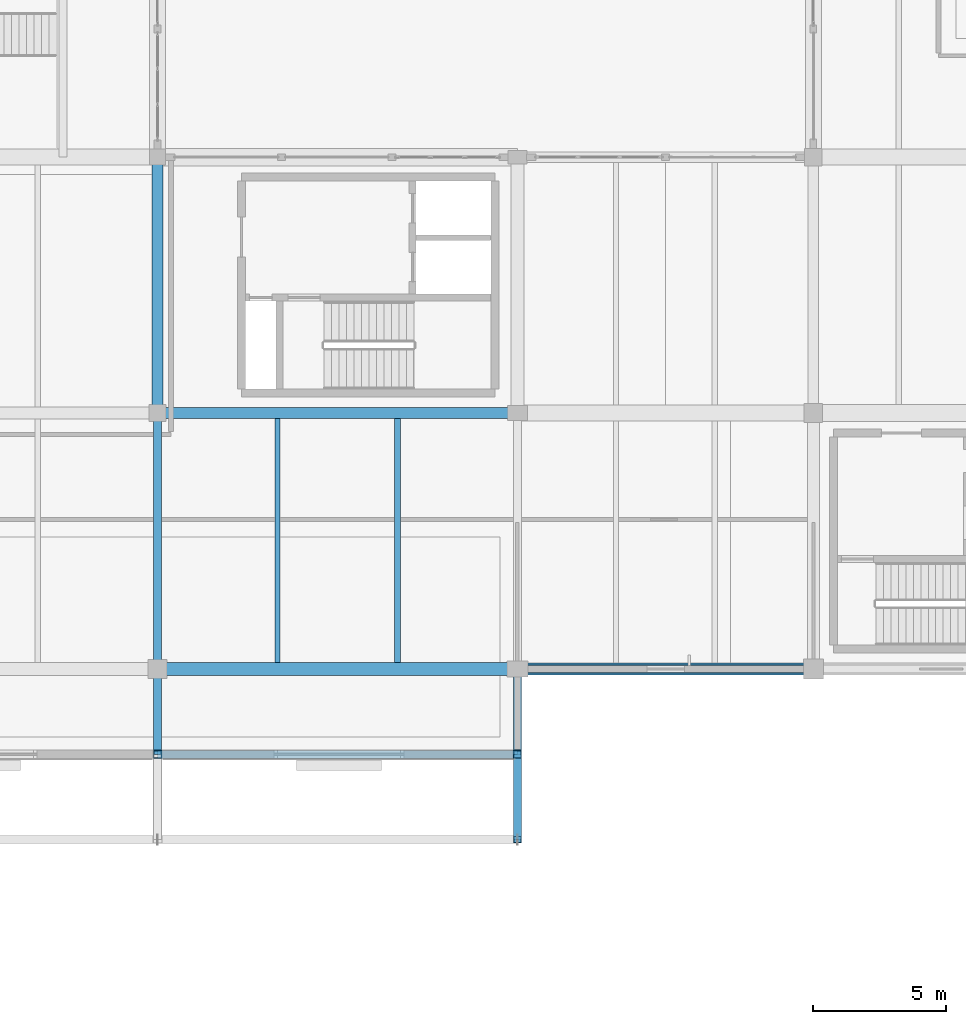
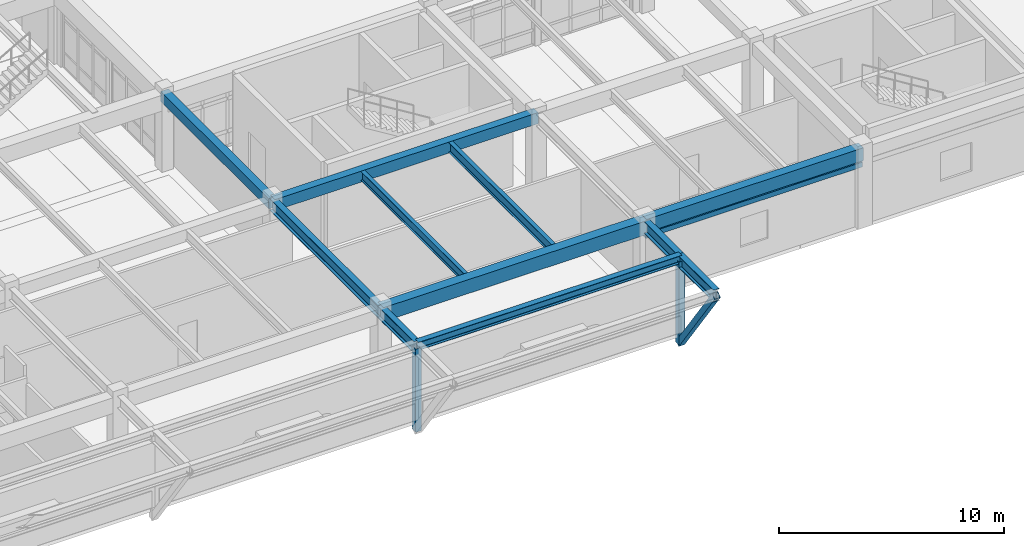
# One storey, part 21 of 109: 12 beams, 3 members.
"""IFC4 building model written with IfcOpenShell, lengths in metres."""

from ifc_helpers import new_model, si_unit, direction, frame, origin, origin_2d, place, context, subcontext, project, spatial, rectangle, hollow_rectangle, i_section, extrude, material, material_profile, profile_set, type_object, element, save


model = new_model("IFC4")

# Units and contexts
model_context = context("Model", 3, precision=1e-05, world=origin(), true_north=direction((0.0, 1.0)))
body_context = subcontext(model_context, "Body", "Model", "MODEL_VIEW")
ifc_project = project(units=[si_unit("LENGTHUNIT", "METRE"), si_unit("AREAUNIT", "SQUARE_METRE"), si_unit("VOLUMEUNIT", "CUBIC_METRE"), si_unit("PLANEANGLEUNIT", "RADIAN"), si_unit("MASSUNIT", "GRAM", prefix="KILO")], contexts=[model_context])

# Site, building, storey
site_placement = place(None, origin())
site = spatial("IfcSite", under=ifc_project, at=site_placement, CompositionType="ELEMENT")
building_placement = place(site_placement, origin())
building = spatial("IfcBuilding", under=site, at=building_placement, Name="Fikremerkos Civic Library", CompositionType="ELEMENT")
storey_placement = place(building_placement, frame((0.0, 0.0, 5.39990234375)))
storey = spatial("IfcBuildingStorey", under=building, at=storey_placement, Name="L01", CompositionType="ELEMENT", Elevation=5.39990234375)

# Beams
ifc_material_1 = material(Name="Steel S355", Category="steel")
ifc_material_profile_1 = material_profile(ifc_material_1, i_section(OverallWidth=0.2099609375, OverallDepth=0.550048828125, WebThickness=0.010986328125, FlangeThickness=0.01708984375, FilletRadius=0.02392578125, at=origin_2d()), Name="IPE 550")
ifc_profile_set_1 = profile_set([ifc_material_profile_1], Name="Steel S355")
beam_type_1 = type_object("IfcBeamType", Name="Floor joist JS-05 IPE 550", PredefinedType="JOIST", material=ifc_profile_set_1)
beam_1_placement = place(storey_placement, frame((109.199951171875, 12.25, 3.905029296875), z_axis=(0.0, 1.0, 0.0), x_axis=(-1.0, 0.0, 0.0)))
element("IfcBeam", 1, at=beam_1_placement, inside=storey, type_object=beam_type_1, Name="Floor joist JS-05 L01 #443", PredefinedType="JOIST", context=body_context, shape_type="SweptSolid", body=[
    extrude(i_section(OverallWidth=0.2099609375, OverallDepth=0.550048828125, WebThickness=0.010986328125, FlangeThickness=0.01708984375, FilletRadius=0.02392578125, at=origin_2d()), origin(), (0.0, 0.0, 1.0), 9.14990234375),
])
ifc_material_profile_2 = material_profile(ifc_material_1, i_section(OverallWidth=0.199951171875, OverallDepth=0.5, WebThickness=0.01025390625, FlangeThickness=0.01611328125, FilletRadius=0.02099609375, at=origin_2d()), Name="IPE 500")
ifc_profile_set_2 = profile_set([ifc_material_profile_2], Name="Steel S355")
beam_type_2 = type_object("IfcBeamType", Name="Floor joist JS-06 IPE 500", PredefinedType="JOIST", material=ifc_profile_set_2)
beam_2_placement = place(storey_placement, frame((104.699951171875, 12.25, 3.93017578125), z_axis=(0.0, 1.0, 0.0), x_axis=(-1.0, 0.0, 0.0)))
element("IfcBeam", 2, at=beam_2_placement, inside=storey, type_object=beam_type_2, Name="Floor joist JS-06 L01 #442", PredefinedType="JOIST", context=body_context, shape_type="SweptSolid", body=[
    extrude(i_section(OverallWidth=0.199951171875, OverallDepth=0.5, WebThickness=0.01025390625, FlangeThickness=0.01611328125, FilletRadius=0.02099609375, at=origin_2d()), origin(), (0.0, 0.0, 1.0), 9.14990234375),
])

# Members
ifc_material_profile_3 = material_profile(ifc_material_1, hollow_rectangle(XDim=0.300048828125, YDim=0.300048828125, WallThickness=0.012451171875, at=origin_2d()), Name="SHS 300x300x12.5")
ifc_profile_set_3 = profile_set([ifc_material_profile_3], Name="Steel S355")
member_type_1 = type_object("IfcMemberType", Name="Frame post PST-01 SHS 300x300x12.5", PredefinedType="POST", material=ifc_profile_set_3)
for number, where, z_axis, x_axis, name in (
    (3, (100.199951171875, 8.800048828125, -0.64501953125), (0.0, 0.0, 1.0), (1.0, 0.0, 0.0), "Cantilever frame post PST-01 L01 X=100.2 Y=8.8"),
    (4, (113.699951171875, 8.800048828125, -0.64501953125), (0.0, 0.0, 1.0), (1.0, 0.0, 0.0), "Cantilever frame post PST-01 L01 X=113.7 Y=8.8"),
):
    element("IfcMember", number, at=place(storey_placement, frame(where, z_axis=z_axis, x_axis=x_axis)), inside=storey, type_object=member_type_1, Name=name, PredefinedType="POST", context=body_context, shape_type="SweptSolid", body=[
        extrude(hollow_rectangle(XDim=0.300048828125, YDim=0.300048828125, WallThickness=0.012451171875, at=origin_2d()), origin(), (0.0, 0.0, 1.0), 4.5),
    ])

# Beams
ifc_material_2 = material(Name="Concrete C40/50", Category="concrete")
ifc_material_profile_4 = material_profile(ifc_material_2, rectangle(XDim=0.300048828125, YDim=0.260009765625, at=origin_2d()), Name="RC 300x260")
ifc_profile_set_4 = profile_set([ifc_material_profile_4], Name="Concrete C40/50")
beam_type_3 = type_object("IfcBeamType", Name="Opening lintel LNT-02 RC 300x260", PredefinedType="LINTEL", material=ifc_profile_set_4)
beam_3_placement = place(storey_placement, frame((124.800048828125, 12.0, 3.27001953125), z_axis=(-1.0, 0.0, 0.0), x_axis=(0.0, -1.0, 0.0)))
element("IfcBeam", 5, at=beam_3_placement, inside=storey, type_object=beam_type_3, Name="Courtyard window head lintel LNT-02 L01 #22", PredefinedType="LINTEL", context=body_context, shape_type="SweptSolid", body=[
    extrude(rectangle(XDim=0.300048828125, YDim=0.260009765625, at=origin_2d()), origin(), (0.0, 0.0, 1.0), 11.10009765625),
])
ifc_material_profile_5 = material_profile(ifc_material_2, rectangle(XDim=0.5, YDim=0.75, at=origin_2d()), Name="RC 500x750")
ifc_profile_set_5 = profile_set([ifc_material_profile_5], Name="Concrete C40/50")
beam_type_4 = type_object("IfcBeamType", Name="Primary girder BM-05 RC 500x750", PredefinedType="BEAM", material=ifc_profile_set_5)
beam_4_placement = place(storey_placement, frame((100.199951171875, 12.0, 3.80517578125), z_axis=(1.0, 0.0, 0.0), x_axis=(0.0, 1.0, 0.0)))
element("IfcBeam", 6, at=beam_4_placement, inside=storey, type_object=beam_type_4, Name="Primary girder BM-05 L01 grid E", PredefinedType="BEAM", context=body_context, shape_type="SweptSolid", body=[
    extrude(rectangle(XDim=0.5, YDim=0.75, at=origin_2d()), origin(), (0.0, 0.0, 1.0), 13.5),
])
ifc_material_profile_6 = material_profile(ifc_material_2, rectangle(XDim=0.449951171875, YDim=0.699951171875, at=origin_2d()), Name="RC 450x700")
ifc_profile_set_6 = profile_set([ifc_material_profile_6], Name="Concrete C40/50")
beam_type_5 = type_object("IfcBeamType", Name="Primary girder BM-06 RC 450x700", PredefinedType="BEAM", material=ifc_profile_set_6)
beam_5_placement = place(storey_placement, frame((113.699951171875, 12.0, 3.8701171875), z_axis=(1.0, 0.0, 0.0), x_axis=(0.0, 1.0, 0.0)))
element("IfcBeam", 7, at=beam_5_placement, inside=storey, type_object=beam_type_5, Name="Primary girder BM-06 L01 grid E", PredefinedType="BEAM", context=body_context, shape_type="SweptSolid", body=[
    extrude(rectangle(XDim=0.449951171875, YDim=0.699951171875, at=origin_2d()), origin(), (0.0, 0.0, 1.0), 11.10009765625),
])
ifc_material_profile_7 = material_profile(ifc_material_2, rectangle(XDim=0.39990234375, YDim=0.60009765625, at=origin_2d()), Name="RC 400x600")
ifc_profile_set_7 = profile_set([ifc_material_profile_7], Name="Concrete C40/50")
beam_type_6 = type_object("IfcBeamType", Name="Primary girder BM-08 RC 400x600", PredefinedType="BEAM", material=ifc_profile_set_7)
beam_6_placement = place(storey_placement, frame((100.199951171875, 21.60009765625, 3.880126953125), z_axis=(1.0, 0.0, 0.0), x_axis=(0.0, 1.0, 0.0)))
element("IfcBeam", 8, at=beam_6_placement, inside=storey, type_object=beam_type_6, Name="Primary girder BM-08 L01 grid F", PredefinedType="BEAM", context=body_context, shape_type="SweptSolid", body=[
    extrude(rectangle(XDim=0.39990234375, YDim=0.60009765625, at=origin_2d()), origin(), (0.0, 0.0, 1.0), 13.5),
])
ifc_material_profile_8 = material_profile(ifc_material_1, i_section(OverallWidth=0.300048828125, OverallDepth=0.64990234375, WebThickness=0.01611328125, FlangeThickness=0.031005859375, FilletRadius=0.027099609375, at=origin_2d()), Name="HEB 650")
ifc_profile_set_8 = profile_set([ifc_material_profile_8], Name="Steel S355")
beam_type_7 = type_object("IfcBeamType", Name="Primary girder BM-12 HEB 650", PredefinedType="BEAM", material=ifc_profile_set_8)
beam_7_placement = place(storey_placement, frame((100.199951171875, 12.0, 3.85498046875), z_axis=(0.0, 1.0, 0.0), x_axis=(-1.0, 0.0, 0.0)))
element("IfcBeam", 9, at=beam_7_placement, inside=storey, type_object=beam_type_7, Name="Primary girder BM-12 L01 grid 9", PredefinedType="BEAM", context=body_context, shape_type="SweptSolid", body=[
    extrude(i_section(OverallWidth=0.300048828125, OverallDepth=0.64990234375, WebThickness=0.01611328125, FlangeThickness=0.031005859375, FilletRadius=0.027099609375, at=origin_2d()), origin(), (0.0, 0.0, 1.0), 9.60009765625),
])
for number, where, z_axis, x_axis, name in (
    (10, (100.199951171875, 12.0, 3.85498046875), (0.0, -1.0, 0.0), (1.0, 0.0, 0.0), "Cantilever girder BM-12 L01 X=100.2 #1"),
    (11, (113.699951171875, 12.0, 3.85498046875), (0.0, -1.0, 0.0), (1.0, 0.0, 0.0), "Cantilever girder BM-12 L01 X=113.7 #1"),
    (12, (113.699951171875, 8.800048828125, 3.85498046875), (0.0, -1.0, 0.0), (1.0, 0.0, 0.0), "Cantilever girder BM-12 L01 X=113.7 #2"),
):
    element("IfcBeam", number, at=place(storey_placement, frame(where, z_axis=z_axis, x_axis=x_axis)), inside=storey, type_object=beam_type_7, Name=name, PredefinedType="BEAM", context=body_context, shape_type="SweptSolid", body=[
        extrude(i_section(OverallWidth=0.300048828125, OverallDepth=0.64990234375, WebThickness=0.01611328125, FlangeThickness=0.031005859375, FilletRadius=0.027099609375, at=origin_2d()), origin(), (0.0, 0.0, 1.0), 3.199951171875),
    ])
ifc_material_profile_9 = material_profile(ifc_material_2, rectangle(XDim=0.39990234375, YDim=0.550048828125, at=origin_2d()), Name="RC 400x550")
ifc_profile_set_9 = profile_set([ifc_material_profile_9], Name="Concrete C40/50")
beam_type_8 = type_object("IfcBeamType", Name="Primary girder BM-26 RC 400x550", PredefinedType="BEAM", material=ifc_profile_set_9)
beam_8_placement = place(storey_placement, frame((100.199951171875, 21.60009765625, 3.905029296875), z_axis=(0.0, 1.0, 0.0), x_axis=(-1.0, 0.0, 0.0)))
element("IfcBeam", 13, at=beam_8_placement, inside=storey, type_object=beam_type_8, Name="Primary girder BM-26 L01 grid 9", PredefinedType="BEAM", context=body_context, shape_type="SweptSolid", body=[
    extrude(rectangle(XDim=0.39990234375, YDim=0.550048828125, at=origin_2d()), origin(), (0.0, 0.0, 1.0), 9.599853515625),
])

# Member
ifc_material_profile_10 = material_profile(ifc_material_1, hollow_rectangle(XDim=0.300048828125, YDim=0.300048828125, WallThickness=0.01611328125, at=origin_2d()), Name="SHS 300x300x16")
ifc_profile_set_10 = profile_set([ifc_material_profile_10], Name="Steel S355")
member_type_2 = type_object("IfcMemberType", Name="Raking strut STR-02 SHS 300x300x16", PredefinedType="STRUT", material=ifc_profile_set_10)
member_placement = place(storey_placement, frame((113.699951171875, 8.800048828125, -0.64501953125), z_axis=(0.0, -0.579517913329, 0.814959500914), x_axis=(1.0, 0.0, 0.0)))
element("IfcMember", 14, at=member_placement, inside=storey, type_object=member_type_2, Name="Raking cantilever strut STR-02 L01 X=113.7", PredefinedType="STRUT", context=body_context, shape_type="SweptSolid", body=[
    extrude(hollow_rectangle(XDim=0.300048828125, YDim=0.300048828125, WallThickness=0.01611328125, at=origin_2d()), origin(), (0.0, 0.0, 1.0), 5.521728515625),
])

# Beam
ifc_material_profile_11 = material_profile(ifc_material_1, i_section(OverallWidth=0.300048828125, OverallDepth=0.43994140625, WebThickness=0.011474609375, FlangeThickness=0.02099609375, FilletRadius=0.027099609375, at=origin_2d()), Name="HEA 450")
ifc_profile_set_11 = profile_set([ifc_material_profile_11], Name="Steel S355")
beam_type_9 = type_object("IfcBeamType", Name="Spandrel edge beam SPB-05 HEA 450", PredefinedType="SPANDREL", material=ifc_profile_set_11)
beam_9_placement = place(storey_placement, frame((100.199951171875, 8.800048828125, 3.960205078125), z_axis=(1.0, 0.0, 0.0), x_axis=(0.0, 1.0, 0.0)))
element("IfcBeam", 15, at=beam_9_placement, inside=storey, type_object=beam_type_9, Name="Spandrel edge beam SPB-05 L01 Y=8.8 bay 7", PredefinedType="SPANDREL", context=body_context, shape_type="SweptSolid", body=[
    extrude(i_section(OverallWidth=0.300048828125, OverallDepth=0.43994140625, WebThickness=0.011474609375, FlangeThickness=0.02099609375, FilletRadius=0.027099609375, at=origin_2d()), origin(), (0.0, 0.0, 1.0), 13.5),
])

save(model, "model.ifc")
